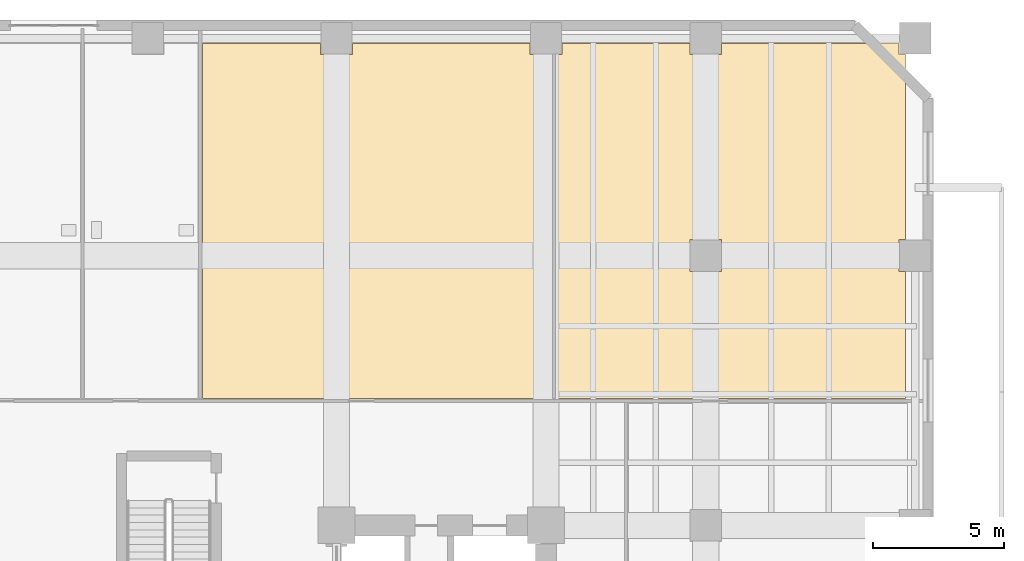
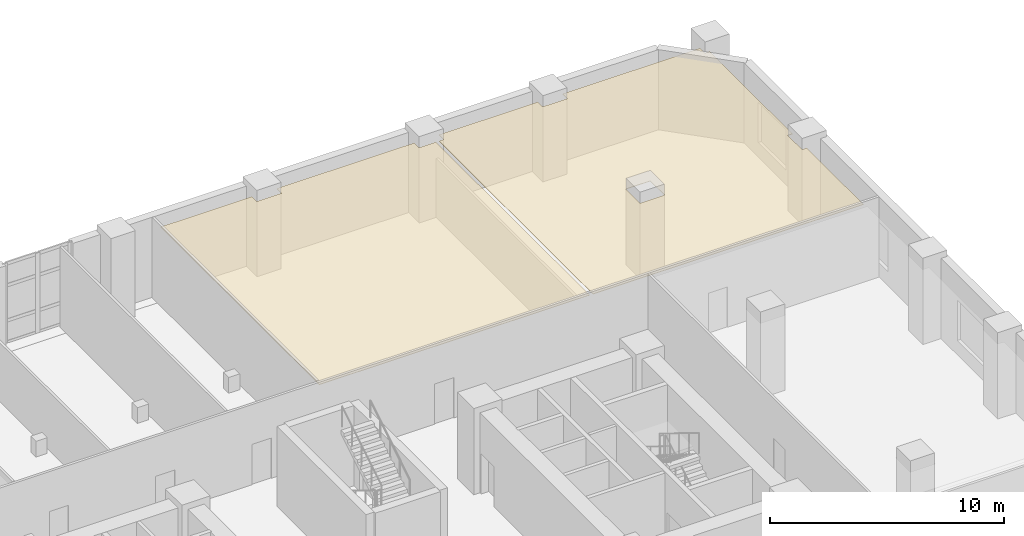
# One storey, part 14 of 15: 2 coverings.
"""IFC4 building model written with IfcOpenShell, lengths in metres."""

from ifc_helpers import new_model, si_unit, direction, frame, origin, place, context, subcontext, project, spatial, polyline, outline, extrude, material, layer, layer_set, type_object, element, save


model = new_model("IFC4")

# Units and contexts
model_context = context("Model", 3, precision=1e-05, world=origin(), true_north=direction((0.0, 1.0)))
body_context = subcontext(model_context, "Body", "Model", "MODEL_VIEW")
ifc_project = project(units=[si_unit("LENGTHUNIT", "METRE"), si_unit("AREAUNIT", "SQUARE_METRE"), si_unit("VOLUMEUNIT", "CUBIC_METRE"), si_unit("PLANEANGLEUNIT", "RADIAN"), si_unit("MASSUNIT", "GRAM", prefix="KILO")], contexts=[model_context])

# Site, building, storey
site_placement = place(None, origin())
site = spatial("IfcSite", under=ifc_project, at=site_placement, CompositionType="ELEMENT")
building_placement = place(site_placement, origin())
building = spatial("IfcBuilding", under=site, at=building_placement, Name="Kranthara Brick Stack", CompositionType="ELEMENT")
storey_placement = place(building_placement, frame((0.0, 0.0, 5.39990234375)))
storey = spatial("IfcBuildingStorey", under=building, at=storey_placement, Name="L01", CompositionType="ELEMENT", Elevation=5.39990234375)

# Coverings
ifc_material = material(Name="Perforated mineral-fibre acoustic ceiling tile", Category="other")
ifc_layer = layer(ifc_material, 0.02490234375)
ifc_layer_set = layer_set([ifc_layer], Name="Perforated mineral-fibre acoustic ceiling tile")
covering_type = type_object("IfcCoveringType", Name="COV-CEIL-ACOUSTIC", PredefinedType="CEILING", material=ifc_layer_set)
covering_1_placement = place(storey_placement, frame((0.0, 0.0, 3.91015625)))
element("IfcCovering", 1, at=covering_1_placement, inside=storey, type_object=covering_type, Name="L01 Business Cafe Pantry Acoustic Ceiling", PredefinedType="CEILING", context=body_context, shape_type="SweptSolid", body=[
    extrude(outline(polyline([(43.419921875, 38.449951171875), (30.080078125, 38.449951171875), (30.080078125, 52.0), (34.590087890625, 52.0), (34.590087890625, 51.590087890625), (35.81005859375, 51.590087890625), (35.81005859375, 52.0), (42.590087890625, 52.0), (42.590087890625, 51.590087890625), (43.419921875, 51.590087890625), (43.419921875, 38.449951171875)])), origin(), (0.0, 0.0, 1.0), 0.02490234375),
])
covering_2_placement = place(storey_placement, frame((0.0, 0.0, 3.91015625)))
element("IfcCovering", 2, at=covering_2_placement, inside=storey, type_object=covering_type, Name="L01 Innovation Studio Acoustic Ceiling", PredefinedType="CEILING", context=body_context, shape_type="SweptSolid", body=[
    extrude(outline(polyline([(43.81005859375, 51.590087890625), (43.81005859375, 52.0), (48.68994140625, 52.0), (48.68994140625, 51.590087890625), (49.909912109375, 51.590087890625), (49.909912109375, 52.0), (56.68994140625, 52.0), (56.68994140625, 51.590087890625), (56.919921875, 51.590087890625), (56.919921875, 44.510009765625), (56.68994140625, 44.510009765625), (56.68994140625, 43.2900390625), (56.919921875, 43.2900390625), (56.919921875, 38.449951171875), (43.580078125, 38.449951171875), (43.580078125, 51.590087890625), (43.81005859375, 51.590087890625)]), holes=[polyline([(49.909912109375, 44.510009765625), (48.68994140625, 44.510009765625), (48.68994140625, 43.2900390625), (49.909912109375, 43.2900390625), (49.909912109375, 44.510009765625)])]), origin(), (0.0, 0.0, 1.0), 0.02490234375),
])

save(model, "model.ifc")
